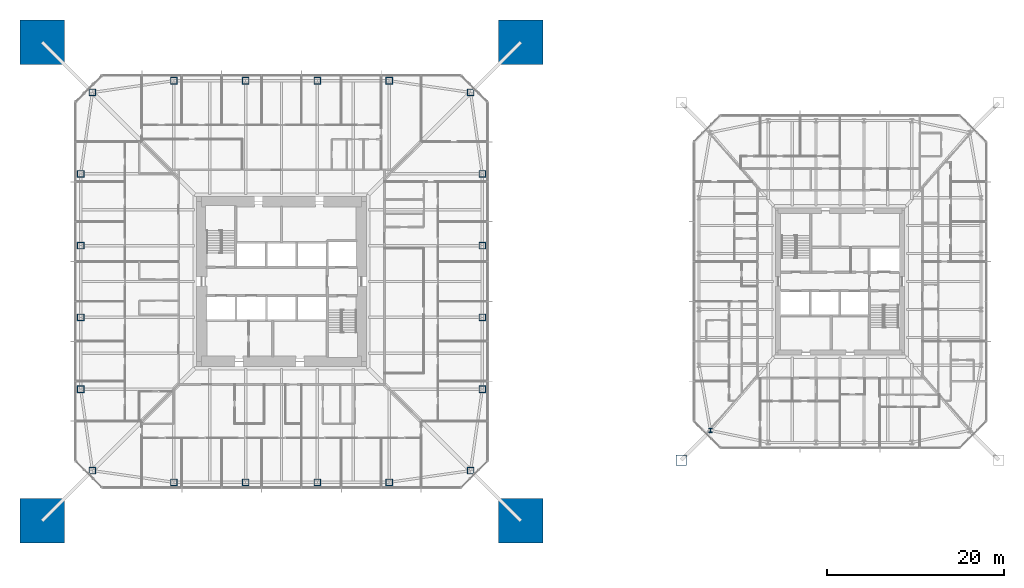
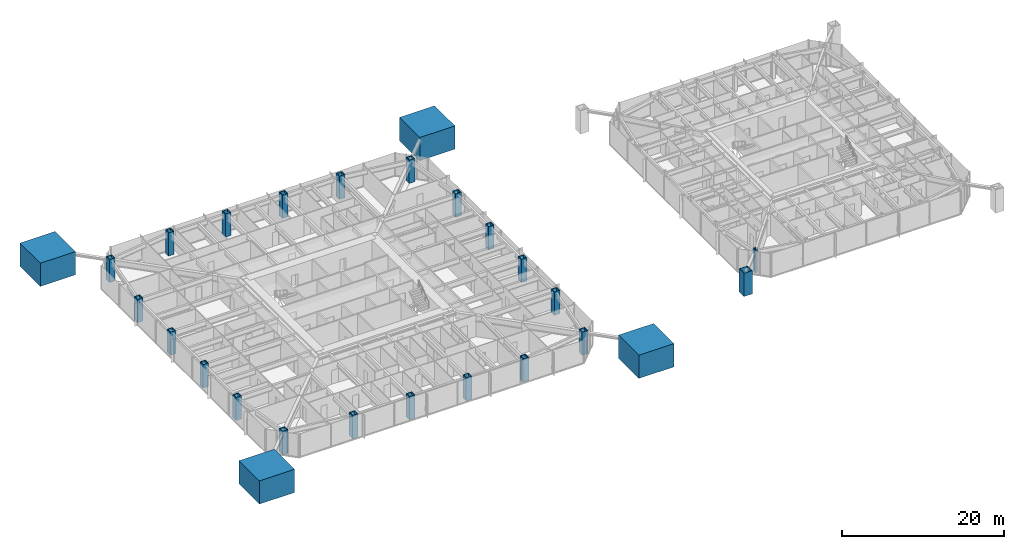
# One storey, part 1 of 26: 26 columns.
"""IFC4 building model written with IfcOpenShell, lengths in metres."""

from ifc_helpers import new_model, si_unit, direction, frame, origin, origin_2d, place, context, subcontext, project, spatial, rectangle, hollow_rectangle, i_section, extrude, material, material_profile, profile_set, type_object, element, save


model = new_model("IFC4")

# Units and contexts
model_context = context("Model", 3, precision=1e-05, world=origin(), true_north=direction((0.0, 1.0)))
body_context = subcontext(model_context, "Body", "Model", "MODEL_VIEW")
ifc_project = project(units=[si_unit("LENGTHUNIT", "METRE"), si_unit("AREAUNIT", "SQUARE_METRE"), si_unit("VOLUMEUNIT", "CUBIC_METRE"), si_unit("PLANEANGLEUNIT", "RADIAN"), si_unit("MASSUNIT", "GRAM", prefix="KILO")], contexts=[model_context])

# Site, building, storey
site_placement = place(None, origin())
site = spatial("IfcSite", under=ifc_project, at=site_placement, CompositionType="ELEMENT")
building_placement = place(site_placement, origin())
building = spatial("IfcBuilding", under=site, at=building_placement, Name="Iwan Alto Co-Living Towers", CompositionType="ELEMENT")
storey_placement = place(building_placement, frame((0.0, 0.0, 60.5)))
storey = spatial("IfcBuildingStorey", under=building, at=storey_placement, Name="L16", CompositionType="ELEMENT", Elevation=60.5)

# Columns
ifc_material_1 = material(Name="Concrete f'c 70 MPa", Category="concrete")
ifc_material_profile_1 = material_profile(ifc_material_1, rectangle(XDim=5.0, YDim=5.0, at=origin_2d()), Name="RC 5000X5000")
ifc_profile_set_1 = profile_set([ifc_material_profile_1], Name="Concrete f'c 70 MPa")
column_type_1 = type_object("IfcColumnType", Name="T1 MEGA COLUMN RC 5000X5000", PredefinedType="COLUMN", material=ifc_profile_set_1)
for number, where, z_axis, x_axis, name in (
    (1, (-27.0, -27.0, 0.0), (0.0, 0.0, 1.0), (1.0, 0.0, 0.0), "T1 mega column SW L16"),
    (2, (27.0, -27.0, 0.0), (0.0, 0.0, 1.0), (1.0, 0.0, 0.0), "T1 mega column SE L16"),
    (3, (27.0, 27.0, 0.0), (0.0, 0.0, 1.0), (1.0, 0.0, 0.0), "T1 mega column NE L16"),
    (4, (-27.0, 27.0, 0.0), (0.0, 0.0, 1.0), (1.0, 0.0, 0.0), "T1 mega column NW L16"),
):
    element("IfcColumn", number, at=place(storey_placement, frame(where, z_axis=z_axis, x_axis=x_axis)), inside=storey, type_object=column_type_1, Name=name, PredefinedType="COLUMN", context=body_context, shape_type="SweptSolid", body=[
        extrude(rectangle(XDim=5.0, YDim=5.0, at=origin_2d()), origin(), (0.0, 0.0, 1.0), 3.5),
        extrude(i_section(OverallWidth=0.4775390625, OverallDepth=0.599365234375, WebThickness=0.10009765625, FlangeThickness=0.139892578125, at=origin_2d()), origin(), (0.0, 0.0, 1.0), 3.5),
    ])
ifc_material_2 = material(Name="Steel ASTM A572 Gr 50", Category="steel")
ifc_material_profile_2 = material_profile(ifc_material_2, hollow_rectangle(XDim=0.800048828125, YDim=0.800048828125, WallThickness=0.090087890625, at=origin_2d()), Name="BOX 800X800X90")
ifc_profile_set_2 = profile_set([ifc_material_profile_2], Name="Steel ASTM A572 Gr 50")
column_type_2 = type_object("IfcColumnType", Name="T1 RING COLUMN BOX 800X800X90", PredefinedType="COLUMN", material=ifc_profile_set_2)
for number, where, z_axis, x_axis, name in (
    (5, (-21.32568359375, -21.32568359375, 0.0), (0.0, 0.0, 1.0), (1.0, 0.0, 0.0), "T1 ring column CSW L16"),
    (6, (-12.14990234375, -22.64990234375, 0.0), (0.0, 0.0, 1.0), (1.0, 0.0, 0.0), "T1 ring column S1 L16"),
    (7, (-4.050048828125, -22.64990234375, 0.0), (0.0, 0.0, 1.0), (1.0, 0.0, 0.0), "T1 ring column S2 L16"),
    (8, (4.050048828125, -22.64990234375, 0.0), (0.0, 0.0, 1.0), (1.0, 0.0, 0.0), "T1 ring column S3 L16"),
    (9, (12.14990234375, -22.64990234375, 0.0), (0.0, 0.0, 1.0), (1.0, 0.0, 0.0), "T1 ring column S4 L16"),
    (10, (21.32568359375, -21.32568359375, 0.0), (0.0, 0.0, 1.0), (1.0, 0.0, 0.0), "T1 ring column CSE L16"),
    (11, (22.64990234375, -12.14990234375, 0.0), (0.0, 0.0, 1.0), (1.0, 0.0, 0.0), "T1 ring column E1 L16"),
    (12, (22.64990234375, -4.050048828125, 0.0), (0.0, 0.0, 1.0), (1.0, 0.0, 0.0), "T1 ring column E2 L16"),
    (13, (22.64990234375, 4.050048828125, 0.0), (0.0, 0.0, 1.0), (1.0, 0.0, 0.0), "T1 ring column E3 L16"),
    (14, (22.64990234375, 12.14990234375, 0.0), (0.0, 0.0, 1.0), (1.0, 0.0, 0.0), "T1 ring column E4 L16"),
    (15, (21.32568359375, 21.32568359375, 0.0), (0.0, 0.0, 1.0), (1.0, 0.0, 0.0), "T1 ring column CNE L16"),
    (16, (12.14990234375, 22.64990234375, 0.0), (0.0, 0.0, 1.0), (1.0, 0.0, 0.0), "T1 ring column N1 L16"),
    (17, (4.050048828125, 22.64990234375, 0.0), (0.0, 0.0, 1.0), (1.0, 0.0, 0.0), "T1 ring column N2 L16"),
    (18, (-4.050048828125, 22.64990234375, 0.0), (0.0, 0.0, 1.0), (1.0, 0.0, 0.0), "T1 ring column N3 L16"),
    (19, (-12.14990234375, 22.64990234375, 0.0), (0.0, 0.0, 1.0), (1.0, 0.0, 0.0), "T1 ring column N4 L16"),
    (20, (-21.32568359375, 21.32568359375, 0.0), (0.0, 0.0, 1.0), (1.0, 0.0, 0.0), "T1 ring column CNW L16"),
    (21, (-22.64990234375, 12.14990234375, 0.0), (0.0, 0.0, 1.0), (1.0, 0.0, 0.0), "T1 ring column W1 L16"),
    (22, (-22.64990234375, 4.050048828125, 0.0), (0.0, 0.0, 1.0), (1.0, 0.0, 0.0), "T1 ring column W2 L16"),
    (23, (-22.64990234375, -4.050048828125, 0.0), (0.0, 0.0, 1.0), (1.0, 0.0, 0.0), "T1 ring column W3 L16"),
    (24, (-22.64990234375, -12.14990234375, 0.0), (0.0, 0.0, 1.0), (1.0, 0.0, 0.0), "T1 ring column W4 L16"),
):
    element("IfcColumn", number, at=place(storey_placement, frame(where, z_axis=z_axis, x_axis=x_axis)), inside=storey, type_object=column_type_2, Name=name, PredefinedType="COLUMN", context=body_context, shape_type="SweptSolid", body=[
        extrude(hollow_rectangle(XDim=0.800048828125, YDim=0.800048828125, WallThickness=0.090087890625, at=origin_2d()), origin(), (0.0, 0.0, 1.0), 3.5),
    ])
ifc_material_3 = material(Name="Steel ASTM A572 Gr 50", Category="steel")
ifc_material_profile_3 = material_profile(ifc_material_3, hollow_rectangle(XDim=1.199951171875, YDim=1.199951171875, WallThickness=0.070068359375, at=origin_2d()), Name="BOX 1200X1200X70")
ifc_profile_set_3 = profile_set([ifc_material_profile_3], Name="Steel ASTM A572 Gr 50")
column_type_3 = type_object("IfcColumnType", Name="T2 MEGA COLUMN BOX 1200X1200X70", PredefinedType="COLUMN", material=ifc_profile_set_3)
column_1_placement = place(storey_placement, frame((45.10009765625, -20.14990234375, 0.0), z_axis=(0.0, 0.0, 1.0), x_axis=(1.0, 0.0, 0.0)))
element("IfcColumn", 25, at=column_1_placement, inside=storey, type_object=column_type_3, Name="T2 mega column SW L16", PredefinedType="COLUMN", context=body_context, shape_type="SweptSolid", body=[
    extrude(hollow_rectangle(XDim=1.199951171875, YDim=1.199951171875, WallThickness=0.070068359375, at=origin_2d()), origin(), (0.0, 0.0, 1.0), 3.5),
])
ifc_material_4 = material(Name="Steel ASTM A992 Gr 50", Category="steel")
ifc_material_profile_4 = material_profile(ifc_material_4, i_section(OverallWidth=0.424072265625, OverallDepth=0.47509765625, WebThickness=0.0478515625, FlangeThickness=0.0771484375, at=origin_2d()), Name="W14X426")
ifc_profile_set_4 = profile_set([ifc_material_profile_4], Name="Steel ASTM A992 Gr 50")
column_type_4 = type_object("IfcColumnType", Name="T2 RING COLUMN W14X426", PredefinedType="COLUMN", material=ifc_profile_set_4)
column_2_placement = place(storey_placement, frame((48.393798828125, -16.797119140625, 0.0), z_axis=(0.0, 0.0, 1.0), x_axis=(1.0, 0.0, 0.0)))
element("IfcColumn", 26, at=column_2_placement, inside=storey, type_object=column_type_4, Name="T2 ring column CSW L16", PredefinedType="COLUMN", context=body_context, shape_type="SweptSolid", body=[
    extrude(i_section(OverallWidth=0.424072265625, OverallDepth=0.47509765625, WebThickness=0.0478515625, FlangeThickness=0.0771484375, at=origin_2d()), origin(), (0.0, 0.0, 1.0), 3.5),
])

save(model, "model.ifc")
